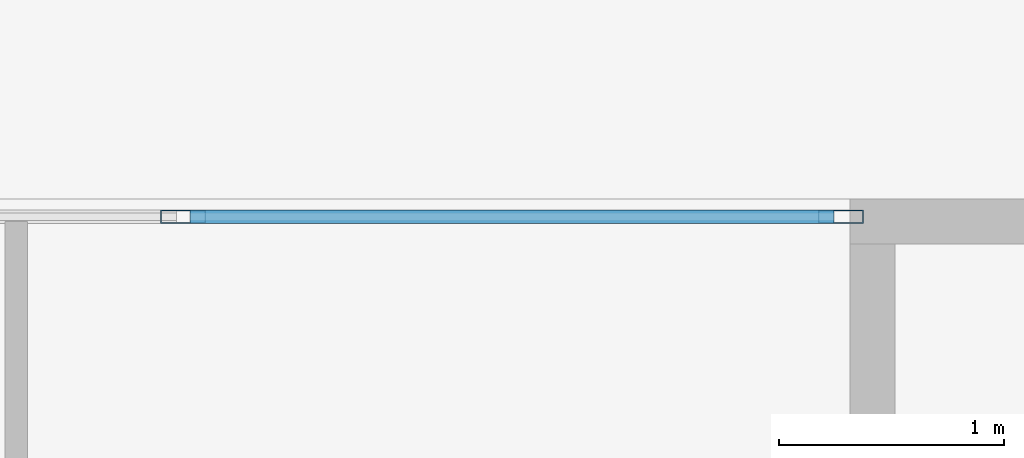
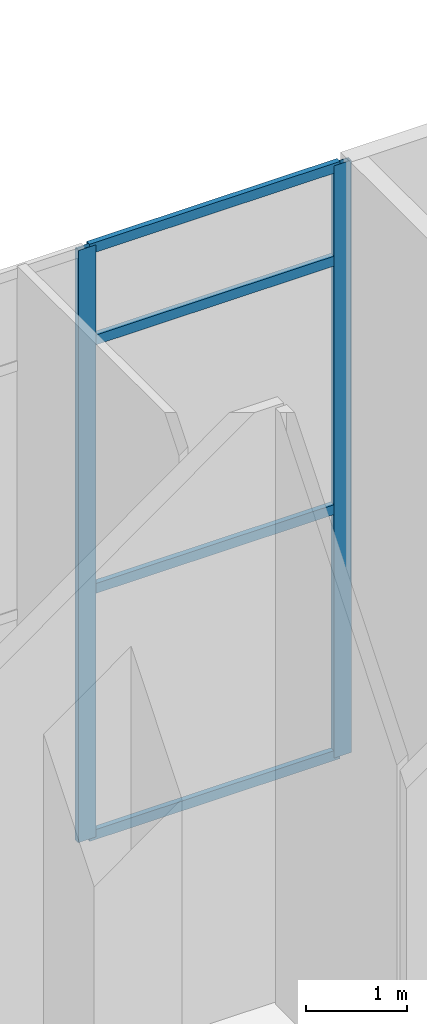
# One storey, part 30 of 52: 6 members, 1 element without a shape of its own.
"""IFC4 building model written with IfcOpenShell, lengths in metres."""

import ifcopenshell
import ifcopenshell.guid

model = None  # the IFC model being written
_history = None  # IfcOwnerHistory: only IFC2X3 demands one
_inside = {}  # id of a spatial element -> (the spatial element, [elements in it])
_under = {}  # id of a project, library or spatial element -> (it, [spatial elements below it])
_declared = {}  # id of a project -> (the project, [libraries it declares])
_typed = {}  # id of a type object -> (the type object, [elements of that type])
_made_of = {}  # id of a material, layer set ... -> (it, [elements and type objects made of it])


def new_model(schema):
    """Start an empty IFC model of exactly this schema.

    Asked for "IFC4X3", IfcOpenShell would pick the latest addendum, in which some entities
    have other attributes; the version numbers below select the first issue.
    IFC2X3 requires an IfcOwnerHistory on every rooted entity: one is made here for all.
    """
    global model, _history
    if schema == "IFC4X3":
        model = ifcopenshell.file(schema_version=(4, 3, 0, 0))
    else:
        model = ifcopenshell.file(schema=schema)
    _inside.clear()
    _under.clear()
    _declared.clear()
    _typed.clear()
    _made_of.clear()
    _history = None
    if model.schema == "IFC2X3":
        org = make("IfcOrganization", Name="unknown")
        user = make(
            "IfcPersonAndOrganization",
            ThePerson=make("IfcPerson", FamilyName="unknown"),
            TheOrganization=org,
        )
        app = make(
            "IfcApplication",
            ApplicationDeveloper=org,
            Version="unknown",
            ApplicationFullName="unknown",
            ApplicationIdentifier="unknown",
        )
        _history = make(
            "IfcOwnerHistory",
            OwningUser=user,
            OwningApplication=app,
            ChangeAction="ADDED",
            CreationDate=0,
        )
    return model


def make(cls, **values):
    """One entity of the class cls with the attributes given. An attribute that is None is left unset."""
    return model.create_entity(
        cls, **{name: value for name, value in values.items() if value is not None}
    )


def rooted(cls, **values):
    """An entity with a GlobalId (a new one), such as an element, a storey or a relation."""
    return make(cls, GlobalId=ifcopenshell.guid.new(), OwnerHistory=_history, **values)


def si_unit(unit_type, name, prefix=None):
    """IfcSIUnit, for example si_unit("LENGTHUNIT", "METRE", prefix="MILLI")."""
    return make("IfcSIUnit", UnitType=unit_type, Prefix=prefix, Name=name)


def assignment(units):
    """IfcUnitAssignment: the units of a project."""
    return None if units is None else make("IfcUnitAssignment", Units=units)


def point(xyz):
    """IfcCartesianPoint."""
    return None if xyz is None else make("IfcCartesianPoint", Coordinates=xyz)


def direction(xyz):
    """IfcDirection."""
    return None if xyz is None else make("IfcDirection", DirectionRatios=xyz)


def frame(location, z_axis=None, x_axis=None):
    """IfcAxis2Placement3D, a coordinate frame: its origin and axes. An axis left out is left unset."""
    return make(
        "IfcAxis2Placement3D",
        Location=point(location),
        Axis=direction(z_axis),
        RefDirection=direction(x_axis),
    )


def frame_2d(location, x_axis=None):
    """IfcAxis2Placement2D, a coordinate frame in the plane: its origin and x axis."""
    return make(
        "IfcAxis2Placement2D", Location=point(location), RefDirection=direction(x_axis)
    )


def origin():
    """The frame at (0, 0, 0) with its axes left unset."""
    return frame((0.0, 0.0, 0.0))


def origin_2d():
    """The frame at (0, 0) in the plane with its x axis left unset."""
    return frame_2d((0.0, 0.0))


def place(relative_to, where):
    """IfcLocalPlacement: puts the frame where relative to a parent placement (None: the world)."""
    return make(
        "IfcLocalPlacement", PlacementRelTo=relative_to, RelativePlacement=where
    )


def context(
    kind, dimensions, precision=None, world=None, true_north=None, identifier=None
):
    """IfcGeometricRepresentationContext, for example the 3D "Model" context."""
    return make(
        "IfcGeometricRepresentationContext",
        ContextIdentifier=identifier,
        ContextType=kind,
        CoordinateSpaceDimension=dimensions,
        Precision=precision,
        WorldCoordinateSystem=world,
        TrueNorth=true_north,
    )


def subcontext(parent, identifier, kind, view, scale=None):
    """IfcGeometricRepresentationSubContext, for example "Body" below "Model"."""
    return make(
        "IfcGeometricRepresentationSubContext",
        ContextIdentifier=identifier,
        ContextType=kind,
        ParentContext=parent,
        TargetScale=scale,
        TargetView=view,
    )


def project(units=None, contexts=None):
    """IfcProject with its units and contexts."""
    return rooted(
        "IfcProject",
        Name="project",
        RepresentationContexts=contexts,
        UnitsInContext=assignment(units),
    )


def spatial(cls, under=None, at=None, **own):
    """A site, building, storey or space (cls), placed at a placement, below another one or the project."""
    s = rooted(cls, ObjectPlacement=at, **own)
    if under is not None:
        _under.setdefault(under.id(), (under, []))[1].append(s)
    return s


def profile(cls, at=None, kind="AREA", **sizes):
    """A parametric profile (cls). Its sizes go by their IFC names, for example OverallWidth=200.0."""
    return make(cls, ProfileType=kind, Position=at, **sizes)


def hollow_rectangle(**sizes):
    """IfcRectangleHollowProfileDef."""
    return profile("IfcRectangleHollowProfileDef", **sizes)


def extrude(swept, where, along, depth):
    """IfcExtrudedAreaSolid: the profile swept, set in the frame where, extruded along a direction by depth."""
    return make(
        "IfcExtrudedAreaSolid",
        SweptArea=swept,
        Position=where,
        ExtrudedDirection=direction(along),
        Depth=depth,
    )


def shape(context_of_items, identifier, shape_type, items):
    """IfcShapeRepresentation: the items that make up one representation, for example the "Body"."""
    return make(
        "IfcShapeRepresentation",
        ContextOfItems=context_of_items,
        RepresentationIdentifier=identifier,
        RepresentationType=shape_type,
        Items=items,
    )


def source(mapping_origin, context_of_items, identifier, shape_type, items):
    """IfcRepresentationMap: a shape defined once, which mapped items show again and again."""
    return make(
        "IfcRepresentationMap",
        MappingOrigin=mapping_origin,
        MappedRepresentation=shape(context_of_items, identifier, shape_type, items),
    )


def transform(
    local_origin,
    x_axis=None,
    y_axis=None,
    z_axis=None,
    scale=None,
    scale2=None,
    scale3=None,
    uniform=True,
):
    """IfcCartesianTransformationOperator3D, or its non-uniform kind. x_axis, y_axis, z_axis: its Axis1, 2, 3."""
    if uniform:
        return make(
            "IfcCartesianTransformationOperator3D",
            Axis1=direction(x_axis),
            Axis2=direction(y_axis),
            LocalOrigin=point(local_origin),
            Scale=scale,
            Axis3=direction(z_axis),
        )
    return make(
        "IfcCartesianTransformationOperator3DnonUniform",
        Axis1=direction(x_axis),
        Axis2=direction(y_axis),
        LocalOrigin=point(local_origin),
        Scale=scale,
        Axis3=direction(z_axis),
        Scale2=scale2,
        Scale3=scale3,
    )


def mapped(mapping_source, mapping_target):
    """IfcMappedItem: shows the shape of a source again, moved by a transform."""
    return make(
        "IfcMappedItem", MappingSource=mapping_source, MappingTarget=mapping_target
    )


def material(Name=None, Category=None):
    """IfcMaterial."""
    return make("IfcMaterial", Name=Name, Category=Category)


def material_profile(
    of_material, cross_section, Name=None, Category=None, Priority=None
):
    """IfcMaterialProfile: a cross section and its material."""
    return make(
        "IfcMaterialProfile",
        Name=Name,
        Material=of_material,
        Profile=cross_section,
        Priority=Priority,
        Category=Category,
    )


def profile_set(profiles, Name=None, composite=None):
    """IfcMaterialProfileSet."""
    return make(
        "IfcMaterialProfileSet",
        Name=Name,
        MaterialProfiles=profiles,
        CompositeProfile=composite,
    )


def made_of(thing, what):
    """Note that an element or type object is made of a material, layer set ...; save() writes the relation."""
    if what is not None:
        _made_of.setdefault(what.id(), (what, []))[1].append(thing)
    return thing


def type_object(cls, material=None, **own):
    """A type object (cls), such as IfcWallType, which elements share."""
    return made_of(rooted(cls, **own), material)


def element(
    cls,
    number,
    at=None,
    inside=None,
    cuts=None,
    type_object=None,
    material=None,
    context=None,
    identifier="Body",
    shape_type=None,
    held_by="IfcProductDefinitionShape",
    body=None,
    shapes=None,
    **own,
):
    """One element of the class cls, such as IfcWall. Its Tag is "e" and its number.

    at: its placement. inside: the storey or other place that contains it. cuts: it is an
    opening in that element (IfcRelVoidsElement). A single representation is given by context,
    identifier, shape_type and body (its items); several are given by shapes. held_by: the class
    of the entity that holds the representations. save() writes the other relations.
    """
    e = rooted(cls, Tag="e%d" % number, ObjectPlacement=at, **own)
    if body is not None:
        shapes = [shape(context, identifier, shape_type, body)]
    if shapes is not None:
        e.Representation = make(held_by, Representations=shapes)
    if inside is not None:
        _inside.setdefault(inside.id(), (inside, []))[1].append(e)
    if cuts is not None:
        rooted(
            "IfcRelVoidsElement", RelatingBuildingElement=cuts, RelatedOpeningElement=e
        )
    if type_object is not None:
        _typed.setdefault(type_object.id(), (type_object, []))[1].append(e)
    return made_of(e, material)


def aggregate(whole, parts):
    """IfcRelAggregates: a whole, such as a stair, and the parts it consists of."""
    return rooted("IfcRelAggregates", RelatingObject=whole, RelatedObjects=parts)


def save(model, path):
    """Write the relations noted so far, then the file.

    IfcRelAggregates (storeys below a building ...), IfcRelContainedInSpatialStructure (elements
    in a storey), IfcRelDefinesByType, IfcRelAssociatesMaterial and IfcRelDeclares: one each for
    every whole, place, type object, material and project.
    """
    for whole, parts in _under.values():
        aggregate(whole, parts)
    for where, things in _inside.values():
        rooted(
            "IfcRelContainedInSpatialStructure",
            RelatedElements=things,
            RelatingStructure=where,
        )
    for kind, things in _typed.values():
        rooted("IfcRelDefinesByType", RelatedObjects=things, RelatingType=kind)
    for what, things in _made_of.values():
        rooted("IfcRelAssociatesMaterial", RelatedObjects=things, RelatingMaterial=what)
    for by, libraries in _declared.values():
        rooted("IfcRelDeclares", RelatingContext=by, RelatedDefinitions=libraries)
    model.write(path)


model = new_model("IFC4")

# Units and contexts
model_context = context("Model", 3, precision=1e-05, world=origin(), true_north=direction((0.0, 1.0)))
body_context = subcontext(model_context, "Body", "Model", "MODEL_VIEW")
ifc_project = project(units=[si_unit("LENGTHUNIT", "METRE"), si_unit("AREAUNIT", "SQUARE_METRE"), si_unit("VOLUMEUNIT", "CUBIC_METRE"), si_unit("PLANEANGLEUNIT", "RADIAN"), si_unit("MASSUNIT", "GRAM", prefix="KILO")], contexts=[model_context])

# Site, building, storey
site_placement = place(None, origin())
site = spatial("IfcSite", under=ifc_project, at=site_placement, CompositionType="ELEMENT")
building_placement = place(site_placement, origin())
building = spatial("IfcBuilding", under=site, at=building_placement, Name="Khomas Fold Tower", CompositionType="ELEMENT")
storey_placement = place(building_placement, origin())
storey = spatial("IfcBuildingStorey", under=building, at=storey_placement, Name="L00", CompositionType="ELEMENT", Elevation=0.0)

# Curtain wall, members
ifc_material_1 = material(Name="Aluminium framed double glazing", Category="aluminium")
curtain_wall_type = type_object("IfcCurtainWallType", Name="Shopfront glazing PD-CW", PredefinedType="NOTDEFINED", material=ifc_material_1)
curtain_wall_placement = place(storey_placement, origin())
curtain_wall = element("IfcCurtainWall", 1, at=curtain_wall_placement, inside=storey, type_object=curtain_wall_type, Name="Podium shopfront run", PredefinedType="NOTDEFINED")
ifc_material_2 = material(Name="Aluminium", Category="aluminium")
ifc_material_profile_1 = material_profile(ifc_material_2, hollow_rectangle(XDim=0.06005859375, YDim=0.199951171875, WallThickness=0.00390625, at=origin_2d()), Name="Shopfront glazing mullion PD-CW-M")
ifc_profile_set_1 = profile_set([ifc_material_profile_1], Name="Aluminium")
member_type_1 = type_object("IfcMemberType", Name="Shopfront glazing mullion PD-CW-M", PredefinedType="MULLION", material=ifc_profile_set_1)
shared_shape_1 = source(origin(), body_context, "Body", "SweptSolid", [
    extrude(hollow_rectangle(XDim=0.06005859375, YDim=0.199951171875, WallThickness=0.00390625, at=origin_2d()), origin(), (0.0, 0.0, 1.0), 7.14990234375),
])
member_1_placement = place(storey_placement, frame((69.659912109375, 53.919921875, 0.0), z_axis=(0.0, 0.0, 1.0), x_axis=(0.0, -1.0, 0.0)))
member_1 = element("IfcMember", 2, at=member_1_placement, type_object=member_type_1, Name="PD-CW mullion 1", PredefinedType="MULLION", context=body_context, shape_type="MappedRepresentation", body=[
    mapped(shared_shape_1, transform((0.0, 0.0, 0.0))),
])
member_2_placement = place(storey_placement, frame((66.7412109375, 53.919921875, 0.0), z_axis=(0.0, 0.0, 1.0), x_axis=(0.0, -1.0, 0.0)))
member_2 = element("IfcMember", 3, at=member_2_placement, type_object=member_type_1, Name="PD-CW mullion 2", PredefinedType="MULLION", context=body_context, shape_type="MappedRepresentation", body=[
    mapped(shared_shape_1, transform((0.0, 0.0, 0.0))),
])
ifc_material_3 = material(Name="Aluminium", Category="aluminium")
ifc_material_profile_2 = material_profile(ifc_material_3, hollow_rectangle(XDim=0.06005859375, YDim=0.1201171875, WallThickness=0.00390625, at=origin_2d()), Name="Shopfront glazing transom PD-CW-T")
ifc_profile_set_2 = profile_set([ifc_material_profile_2], Name="Aluminium")
member_type_2 = type_object("IfcMemberType", Name="Shopfront glazing transom PD-CW-T", PredefinedType="USERDEFINED", material=ifc_profile_set_2)
shared_shape_2 = source(origin(), body_context, "Body", "SweptSolid", [
    extrude(hollow_rectangle(XDim=0.06005859375, YDim=0.1201171875, WallThickness=0.00390625, at=origin_2d()), origin(), (0.0, 0.0, 1.0), 2.85888671875),
])
member_3_placement = place(storey_placement, frame((69.6298828125, 53.919921875, 0.030029296875), z_axis=(-1.0, 0.0, 0.0), x_axis=(0.0, -1.0, 0.0)))
member_3 = element("IfcMember", 4, at=member_3_placement, type_object=member_type_2, Name="PD-CW transom 1.1", ObjectType="TRANSOM", PredefinedType="USERDEFINED", context=body_context, shape_type="MappedRepresentation", body=[
    mapped(shared_shape_2, transform((0.0, 0.0, 0.0))),
])
member_4_placement = place(storey_placement, frame((69.6298828125, 53.919921875, 3.0), z_axis=(-1.0, 0.0, 0.0), x_axis=(0.0, -1.0, 0.0)))
member_4 = element("IfcMember", 5, at=member_4_placement, type_object=member_type_2, Name="PD-CW transom 1.2", ObjectType="TRANSOM", PredefinedType="USERDEFINED", context=body_context, shape_type="MappedRepresentation", body=[
    mapped(shared_shape_2, transform((0.0, 0.0, 0.0))),
])
member_5_placement = place(storey_placement, frame((69.6298828125, 53.919921875, 6.0), z_axis=(-1.0, 0.0, 0.0), x_axis=(0.0, -1.0, 0.0)))
member_5 = element("IfcMember", 6, at=member_5_placement, type_object=member_type_2, Name="PD-CW transom 1.3", ObjectType="TRANSOM", PredefinedType="USERDEFINED", context=body_context, shape_type="MappedRepresentation", body=[
    mapped(shared_shape_2, transform((0.0, 0.0, 0.0))),
])
member_6_placement = place(storey_placement, frame((69.6298828125, 53.919921875, 7.1201171875), z_axis=(-1.0, 0.0, 0.0), x_axis=(0.0, -1.0, 0.0)))
member_6 = element("IfcMember", 7, at=member_6_placement, type_object=member_type_2, Name="PD-CW transom 1.4", ObjectType="TRANSOM", PredefinedType="USERDEFINED", context=body_context, shape_type="MappedRepresentation", body=[
    mapped(shared_shape_2, transform((0.0, 0.0, 0.0))),
])
aggregate(curtain_wall, [member_1, member_2, member_3, member_4, member_5, member_6])

save(model, "model.ifc")
